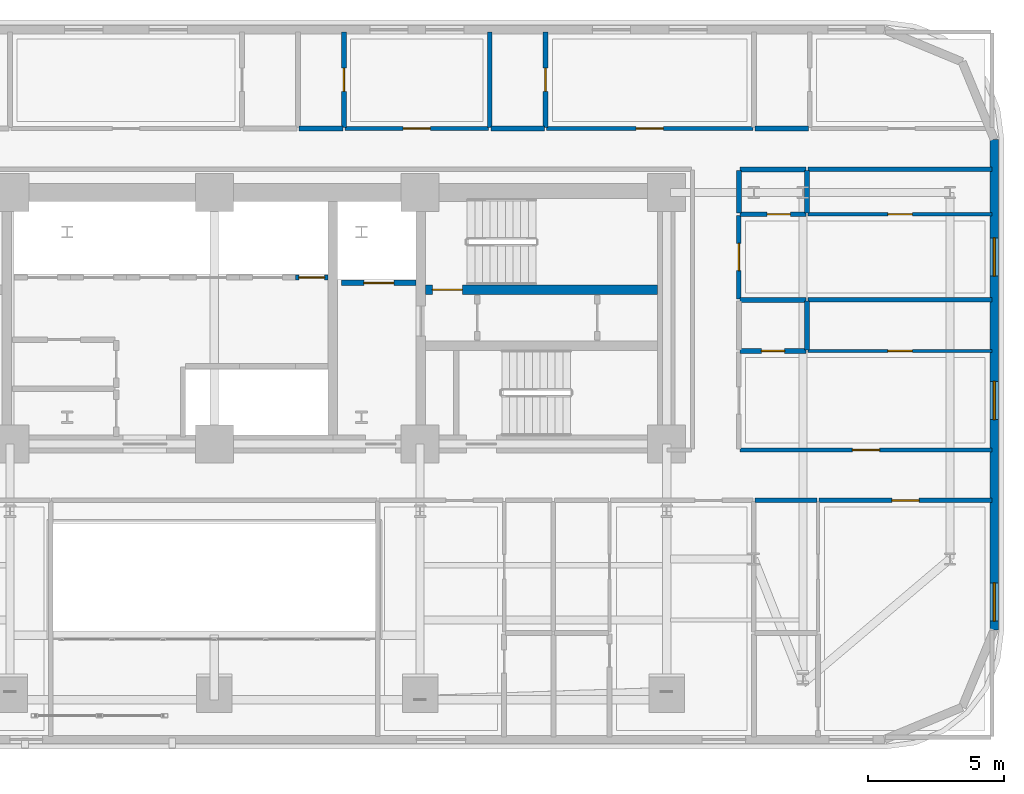
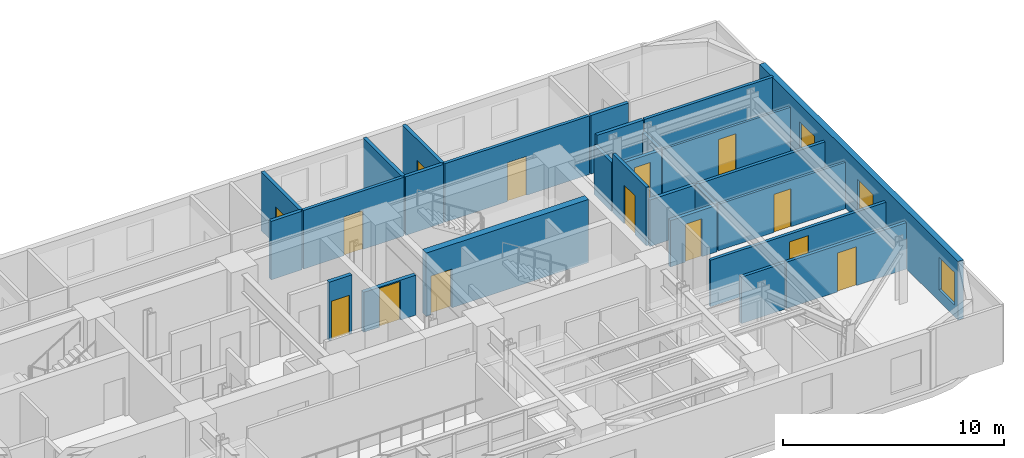
# One storey, part 12 of 16: 27 walls, 14 doors, 3 windows, 17 openings.
"""IFC4 building model written with IfcOpenShell, lengths in metres."""

import ifcopenshell
import ifcopenshell.guid

model = None  # the IFC model being written
_history = None  # IfcOwnerHistory: only IFC2X3 demands one
_inside = {}  # id of a spatial element -> (the spatial element, [elements in it])
_under = {}  # id of a project, library or spatial element -> (it, [spatial elements below it])
_declared = {}  # id of a project -> (the project, [libraries it declares])
_typed = {}  # id of a type object -> (the type object, [elements of that type])
_made_of = {}  # id of a material, layer set ... -> (it, [elements and type objects made of it])


def new_model(schema):
    """Start an empty IFC model of exactly this schema.

    Asked for "IFC4X3", IfcOpenShell would pick the latest addendum, in which some entities
    have other attributes; the version numbers below select the first issue.
    IFC2X3 requires an IfcOwnerHistory on every rooted entity: one is made here for all.
    """
    global model, _history
    if schema == "IFC4X3":
        model = ifcopenshell.file(schema_version=(4, 3, 0, 0))
    else:
        model = ifcopenshell.file(schema=schema)
    _inside.clear()
    _under.clear()
    _declared.clear()
    _typed.clear()
    _made_of.clear()
    _history = None
    if model.schema == "IFC2X3":
        org = make("IfcOrganization", Name="unknown")
        user = make(
            "IfcPersonAndOrganization",
            ThePerson=make("IfcPerson", FamilyName="unknown"),
            TheOrganization=org,
        )
        app = make(
            "IfcApplication",
            ApplicationDeveloper=org,
            Version="unknown",
            ApplicationFullName="unknown",
            ApplicationIdentifier="unknown",
        )
        _history = make(
            "IfcOwnerHistory",
            OwningUser=user,
            OwningApplication=app,
            ChangeAction="ADDED",
            CreationDate=0,
        )
    return model


def make(cls, **values):
    """One entity of the class cls with the attributes given. An attribute that is None is left unset."""
    return model.create_entity(
        cls, **{name: value for name, value in values.items() if value is not None}
    )


def rooted(cls, **values):
    """An entity with a GlobalId (a new one), such as an element, a storey or a relation."""
    return make(cls, GlobalId=ifcopenshell.guid.new(), OwnerHistory=_history, **values)


def si_unit(unit_type, name, prefix=None):
    """IfcSIUnit, for example si_unit("LENGTHUNIT", "METRE", prefix="MILLI")."""
    return make("IfcSIUnit", UnitType=unit_type, Prefix=prefix, Name=name)


def assignment(units):
    """IfcUnitAssignment: the units of a project."""
    return None if units is None else make("IfcUnitAssignment", Units=units)


def point(xyz):
    """IfcCartesianPoint."""
    return None if xyz is None else make("IfcCartesianPoint", Coordinates=xyz)


def direction(xyz):
    """IfcDirection."""
    return None if xyz is None else make("IfcDirection", DirectionRatios=xyz)


def frame(location, z_axis=None, x_axis=None):
    """IfcAxis2Placement3D, a coordinate frame: its origin and axes. An axis left out is left unset."""
    return make(
        "IfcAxis2Placement3D",
        Location=point(location),
        Axis=direction(z_axis),
        RefDirection=direction(x_axis),
    )


def frame_2d(location, x_axis=None):
    """IfcAxis2Placement2D, a coordinate frame in the plane: its origin and x axis."""
    return make(
        "IfcAxis2Placement2D", Location=point(location), RefDirection=direction(x_axis)
    )


def origin():
    """The frame at (0, 0, 0) with its axes left unset."""
    return frame((0.0, 0.0, 0.0))


def place(relative_to, where):
    """IfcLocalPlacement: puts the frame where relative to a parent placement (None: the world)."""
    return make(
        "IfcLocalPlacement", PlacementRelTo=relative_to, RelativePlacement=where
    )


def context(
    kind, dimensions, precision=None, world=None, true_north=None, identifier=None
):
    """IfcGeometricRepresentationContext, for example the 3D "Model" context."""
    return make(
        "IfcGeometricRepresentationContext",
        ContextIdentifier=identifier,
        ContextType=kind,
        CoordinateSpaceDimension=dimensions,
        Precision=precision,
        WorldCoordinateSystem=world,
        TrueNorth=true_north,
    )


def subcontext(parent, identifier, kind, view, scale=None):
    """IfcGeometricRepresentationSubContext, for example "Body" below "Model"."""
    return make(
        "IfcGeometricRepresentationSubContext",
        ContextIdentifier=identifier,
        ContextType=kind,
        ParentContext=parent,
        TargetScale=scale,
        TargetView=view,
    )


def project(units=None, contexts=None):
    """IfcProject with its units and contexts."""
    return rooted(
        "IfcProject",
        Name="project",
        RepresentationContexts=contexts,
        UnitsInContext=assignment(units),
    )


def spatial(cls, under=None, at=None, **own):
    """A site, building, storey or space (cls), placed at a placement, below another one or the project."""
    s = rooted(cls, ObjectPlacement=at, **own)
    if under is not None:
        _under.setdefault(under.id(), (under, []))[1].append(s)
    return s


def profile(cls, at=None, kind="AREA", **sizes):
    """A parametric profile (cls). Its sizes go by their IFC names, for example OverallWidth=200.0."""
    return make(cls, ProfileType=kind, Position=at, **sizes)


def rectangle(**sizes):
    """IfcRectangleProfileDef."""
    return profile("IfcRectangleProfileDef", **sizes)


def extrude(swept, where, along, depth):
    """IfcExtrudedAreaSolid: the profile swept, set in the frame where, extruded along a direction by depth."""
    return make(
        "IfcExtrudedAreaSolid",
        SweptArea=swept,
        Position=where,
        ExtrudedDirection=direction(along),
        Depth=depth,
    )


def shape(context_of_items, identifier, shape_type, items):
    """IfcShapeRepresentation: the items that make up one representation, for example the "Body"."""
    return make(
        "IfcShapeRepresentation",
        ContextOfItems=context_of_items,
        RepresentationIdentifier=identifier,
        RepresentationType=shape_type,
        Items=items,
    )


def material(Name=None, Category=None):
    """IfcMaterial."""
    return make("IfcMaterial", Name=Name, Category=Category)


def layer(
    of_material, thickness, ventilated=None, Name=None, Category=None, Priority=None
):
    """IfcMaterialLayer: one layer of a wall or slab, of a material (None: an air gap)."""
    return make(
        "IfcMaterialLayer",
        Material=of_material,
        LayerThickness=thickness,
        IsVentilated=ventilated,
        Name=Name,
        Category=Category,
        Priority=Priority,
    )


def layer_set(layers, Name=None):
    """IfcMaterialLayerSet."""
    return make("IfcMaterialLayerSet", MaterialLayers=layers, LayerSetName=Name)


def made_of(thing, what):
    """Note that an element or type object is made of a material, layer set ...; save() writes the relation."""
    if what is not None:
        _made_of.setdefault(what.id(), (what, []))[1].append(thing)
    return thing


def type_object(cls, material=None, **own):
    """A type object (cls), such as IfcWallType, which elements share."""
    return made_of(rooted(cls, **own), material)


def element(
    cls,
    number,
    at=None,
    inside=None,
    cuts=None,
    type_object=None,
    material=None,
    context=None,
    identifier="Body",
    shape_type=None,
    held_by="IfcProductDefinitionShape",
    body=None,
    shapes=None,
    **own,
):
    """One element of the class cls, such as IfcWall. Its Tag is "e" and its number.

    at: its placement. inside: the storey or other place that contains it. cuts: it is an
    opening in that element (IfcRelVoidsElement). A single representation is given by context,
    identifier, shape_type and body (its items); several are given by shapes. held_by: the class
    of the entity that holds the representations. save() writes the other relations.
    """
    e = rooted(cls, Tag="e%d" % number, ObjectPlacement=at, **own)
    if body is not None:
        shapes = [shape(context, identifier, shape_type, body)]
    if shapes is not None:
        e.Representation = make(held_by, Representations=shapes)
    if inside is not None:
        _inside.setdefault(inside.id(), (inside, []))[1].append(e)
    if cuts is not None:
        rooted(
            "IfcRelVoidsElement", RelatingBuildingElement=cuts, RelatedOpeningElement=e
        )
    if type_object is not None:
        _typed.setdefault(type_object.id(), (type_object, []))[1].append(e)
    return made_of(e, material)


def fill(opening, filler):
    """IfcRelFillsElement: the door or window that sits in an opening."""
    return rooted(
        "IfcRelFillsElement",
        RelatingOpeningElement=opening,
        RelatedBuildingElement=filler,
    )


def aggregate(whole, parts):
    """IfcRelAggregates: a whole, such as a stair, and the parts it consists of."""
    return rooted("IfcRelAggregates", RelatingObject=whole, RelatedObjects=parts)


def save(model, path):
    """Write the relations noted so far, then the file.

    IfcRelAggregates (storeys below a building ...), IfcRelContainedInSpatialStructure (elements
    in a storey), IfcRelDefinesByType, IfcRelAssociatesMaterial and IfcRelDeclares: one each for
    every whole, place, type object, material and project.
    """
    for whole, parts in _under.values():
        aggregate(whole, parts)
    for where, things in _inside.values():
        rooted(
            "IfcRelContainedInSpatialStructure",
            RelatedElements=things,
            RelatingStructure=where,
        )
    for kind, things in _typed.values():
        rooted("IfcRelDefinesByType", RelatedObjects=things, RelatingType=kind)
    for what, things in _made_of.values():
        rooted("IfcRelAssociatesMaterial", RelatedObjects=things, RelatingMaterial=what)
    for by, libraries in _declared.values():
        rooted("IfcRelDeclares", RelatingContext=by, RelatedDefinitions=libraries)
    model.write(path)


model = new_model("IFC4")

# Units and contexts
model_context = context("Model", 3, precision=1e-05, world=origin(), true_north=direction((0.0, 1.0)))
body_context = subcontext(model_context, "Body", "Model", "MODEL_VIEW")
ifc_project = project(units=[si_unit("LENGTHUNIT", "METRE"), si_unit("AREAUNIT", "SQUARE_METRE"), si_unit("VOLUMEUNIT", "CUBIC_METRE"), si_unit("PLANEANGLEUNIT", "RADIAN"), si_unit("MASSUNIT", "GRAM", prefix="KILO")], contexts=[model_context])

# Site, building, storey
site_placement = place(None, origin())
site = spatial("IfcSite", under=ifc_project, at=site_placement, CompositionType="ELEMENT")
building_placement = place(site_placement, origin())
building = spatial("IfcBuilding", under=site, at=building_placement, Name="Zarnavel Station Tower", CompositionType="ELEMENT")
storey_placement = place(building_placement, frame((0.0, 0.0, 82.800048828125)))
storey = spatial("IfcBuildingStorey", under=building, at=storey_placement, Name="L22", CompositionType="ELEMENT", Elevation=82.800048828125)

# Wall, opening, door
ifc_material_1 = material(Name="Concrete C50/60", Category="concrete")
ifc_layer_1 = layer(ifc_material_1, 0.35009765625)
ifc_layer_set_1 = layer_set([ifc_layer_1], Name="CW_350")
wall_type_1 = type_object("IfcWallType", Name="CW_350", PredefinedType="SHEAR", material=ifc_layer_set_1)
wall_1_placement = place(storey_placement, frame((45.054931640625, 33.47998046875, 0.0), z_axis=(0.0, 0.0, 1.0), x_axis=(-1.0, 0.0, 0.0)))
wall_1 = element("IfcWall", 1, at=wall_1_placement, inside=storey, type_object=wall_type_1, Name="L22 Rear Core Shear Wall DIV-H2", PredefinedType="SHEAR", context=body_context, shape_type="SweptSolid", body=[
    extrude(rectangle(XDim=8.5, YDim=0.35009765625, at=frame_2d((4.25, 0.0))), origin(), (0.0, 0.0, 1.0), 3.5),
])
opening_1_placement = place(wall_1_placement, frame((7.155029296875, 0.0, 0.0)))
opening_1 = element("IfcOpeningElement", 2, at=opening_1_placement, cuts=wall_1, Name="Opening FD01", PredefinedType="OPENING", context=body_context, shape_type="SweptSolid", body=[
    extrude(rectangle(XDim=1.10009765625, YDim=2.14990234375, at=frame_2d((0.550048828125, 1.074951171875))), frame((0.0, 0.18505859375, 0.0), z_axis=(0.0, -1.0, 0.0), x_axis=(1.0, 0.0, 0.0)), (0.0, 0.0, 1.0), 0.3701171875),
])
ifc_material_2 = material(Name="Painted Galvanised Steel and Hardwood Leaf", Category="steel")
door_type_1 = type_object("IfcDoorType", Name="ID_STAIR_1100", OperationType="NOTDEFINED", PredefinedType="DOOR", material=ifc_material_2)
door_1_placement = place(opening_1_placement, origin())
door_1 = element("IfcDoor", 3, at=door_1_placement, inside=storey, type_object=door_type_1, Name="L22 Stair ST2 Lobby Fire Door", OperationType="SINGLE_SWING_RIGHT", OverallHeight=2.14990234375, OverallWidth=1.10009765625, PredefinedType="DOOR", context=body_context, shape_type="SweptSolid", body=[
    extrude(rectangle(XDim=1.10009765625, YDim=2.14990234375, at=frame_2d((0.550048828125, 1.074951171875))), frame((0.0, 0.02490234375, 0.0), z_axis=(0.0, -1.0, 0.0), x_axis=(1.0, 0.0, 0.0)), (0.0, 0.0, 1.0), 0.050048828125),
])
fill(opening_1, door_1)

# Wall, openings, windows
ifc_material_3 = material(Name="Precast concrete C45/55 (Dark Basalt Finish)", Category="masonry")
ifc_layer_2 = layer(ifc_material_3, 0.300048828125)
ifc_layer_set_2 = layer_set([ifc_layer_2], Name="EW_BASALT_300")
wall_type_2 = type_object("IfcWallType", Name="EW_BASALT_300", PredefinedType="SOLIDWALL", material=ifc_layer_set_2)
wall_2_placement = place(storey_placement, frame((57.419921875, 39.0, 0.0), z_axis=(0.0, 0.0, 1.0), x_axis=(0.0, -1.0, 0.0)))
wall_2 = element("IfcWall", 4, at=wall_2_placement, inside=storey, type_object=wall_type_2, Name="L22 Exterior Basalt Masonry Frame Wall 03", PredefinedType="SOLIDWALL", context=body_context, shape_type="SweptSolid", body=[
    extrude(rectangle(XDim=18.0, YDim=0.300048828125, at=frame_2d((9.0, 0.0))), origin(), (0.0, 0.0, 1.0), 3.239990234375),
])
opening_2_placement = place(wall_2_placement, frame((8.882080078125, 0.0, 0.47998046875)))
opening_2 = element("IfcOpeningElement", 5, at=opening_2_placement, cuts=wall_2, Name="Opening WN01", PredefinedType="OPENING", context=body_context, shape_type="SweptSolid", body=[
    extrude(rectangle(XDim=1.39990234375, YDim=1.800048828125, at=frame_2d((0.699951171875, 0.89990234375))), frame((0.0, 0.159912109375, 0.0), z_axis=(0.0, -1.0, 0.0), x_axis=(1.0, 0.0, 0.0)), (0.0, 0.0, 1.0), 0.320068359375),
])
opening_3_placement = place(wall_2_placement, frame((3.62060546875, 0.0, 0.47998046875)))
opening_3 = element("IfcOpeningElement", 6, at=opening_3_placement, cuts=wall_2, Name="Opening WN01", PredefinedType="OPENING", context=body_context, shape_type="SweptSolid", body=[
    extrude(rectangle(XDim=1.39990234375, YDim=1.800048828125, at=frame_2d((0.699951171875, 0.89990234375))), frame((0.0, 0.159912109375, 0.0), z_axis=(0.0, -1.0, 0.0), x_axis=(1.0, 0.0, 0.0)), (0.0, 0.0, 1.0), 0.320068359375),
])
opening_4_placement = place(wall_2_placement, frame((16.280029296875, 0.0, 0.64990234375)))
opening_4 = element("IfcOpeningElement", 7, at=opening_4_placement, cuts=wall_2, Name="Opening WN01", PredefinedType="OPENING", context=body_context, shape_type="SweptSolid", body=[
    extrude(rectangle(XDim=1.39990234375, YDim=1.800048828125, at=frame_2d((0.699951171875, 0.89990234375))), frame((0.0, 0.159912109375, 0.0), z_axis=(0.0, -1.0, 0.0), x_axis=(1.0, 0.0, 0.0)), (0.0, 0.0, 1.0), 0.320068359375),
])
ifc_material_4 = material(Name="Thermally Broken Black Aluminium and Low-E Dark Glass", Category="aluminium")
window_type = type_object("IfcWindowType", Name="WN_1400x1800", PartitioningType="DOUBLE_PANEL_VERTICAL", PredefinedType="WINDOW", material=ifc_material_4)
window_1_placement = place(opening_2_placement, origin())
window_1 = element("IfcWindow", 8, at=window_1_placement, inside=storey, type_object=window_type, Name="L22 Recessed Facade Window 01", OverallHeight=1.800048828125, OverallWidth=1.39990234375, PartitioningType="SINGLE_PANEL", PredefinedType="WINDOW", context=body_context, shape_type="SweptSolid", body=[
    extrude(rectangle(XDim=1.39990234375, YDim=1.800048828125, at=frame_2d((0.699951171875, 0.89990234375))), frame((0.0, 0.030029296875, 0.0), z_axis=(0.0, -1.0, 0.0), x_axis=(1.0, 0.0, 0.0)), (0.0, 0.0, 1.0), 0.06005859375),
])
fill(opening_2, window_1)
window_2_placement = place(opening_3_placement, origin())
window_2 = element("IfcWindow", 9, at=window_2_placement, inside=storey, type_object=window_type, Name="L22 Recessed Facade Window 02", OverallHeight=1.800048828125, OverallWidth=1.39990234375, PartitioningType="SINGLE_PANEL", PredefinedType="WINDOW", context=body_context, shape_type="SweptSolid", body=[
    extrude(rectangle(XDim=1.39990234375, YDim=1.800048828125, at=frame_2d((0.699951171875, 0.89990234375))), frame((0.0, 0.030029296875, 0.0), z_axis=(0.0, -1.0, 0.0), x_axis=(1.0, 0.0, 0.0)), (0.0, 0.0, 1.0), 0.06005859375),
])
fill(opening_3, window_2)
window_3_placement = place(opening_4_placement, origin())
window_3 = element("IfcWindow", 10, at=window_3_placement, inside=storey, type_object=window_type, Name="L22 Recessed Facade Window 03", OverallHeight=1.800048828125, OverallWidth=1.39990234375, PartitioningType="SINGLE_PANEL", PredefinedType="WINDOW", context=body_context, shape_type="SweptSolid", body=[
    extrude(rectangle(XDim=1.39990234375, YDim=1.800048828125, at=frame_2d((0.699951171875, 0.89990234375))), frame((0.0, 0.030029296875, 0.0), z_axis=(0.0, -1.0, 0.0), x_axis=(1.0, 0.0, 0.0)), (0.0, 0.0, 1.0), 0.06005859375),
])
fill(opening_4, window_3)

# Wall, opening, door
ifc_material_5 = material(Name="Gypsum Twin-Stud Acoustic Fire Partition", Category="concrete")
ifc_layer_3 = layer(ifc_material_5, 0.159912109375)
ifc_layer_set_3 = layer_set([ifc_layer_3], Name="PT_DEMISE_160")
wall_type_3 = type_object("IfcWallType", Name="PT_DEMISE_160", PredefinedType="PARTITIONING", material=ifc_layer_set_3)
wall_3_placement = place(storey_placement, frame((48.090087890625, 27.60009765625, 0.0), z_axis=(0.0, 0.0, 1.0), x_axis=(1.0, 0.0, 0.0)))
wall_3 = element("IfcWall", 11, at=wall_3_placement, inside=storey, type_object=wall_type_3, Name="L22 Partition COR-S-FNE1R", PredefinedType="PARTITIONING", context=body_context, shape_type="SweptSolid", body=[
    extrude(rectangle(XDim=9.25, YDim=0.159912109375, at=frame_2d((4.625, 0.0))), origin(), (0.0, 0.0, 1.0), 2.570068359375),
])
opening_5_placement = place(wall_3_placement, frame((4.125, 0.0, 0.0)))
opening_5 = element("IfcOpeningElement", 12, at=opening_5_placement, cuts=wall_3, Name="Opening FD02", PredefinedType="OPENING", context=body_context, shape_type="SweptSolid", body=[
    extrude(rectangle(XDim=1.0, YDim=2.14990234375, at=frame_2d((0.5, 1.074951171875))), frame((0.0, 0.08984375, 0.0), z_axis=(0.0, -1.0, 0.0), x_axis=(1.0, 0.0, 0.0)), (0.0, 0.0, 1.0), 0.179931640625),
])
ifc_material_6 = material(Name="Painted Galvanised Steel and Hardwood Leaf", Category="steel")
door_type_2 = type_object("IfcDoorType", Name="ID_ENTRY_1000", OperationType="NOTDEFINED", PredefinedType="DOOR", material=ifc_material_6)
door_2_placement = place(opening_5_placement, origin())
door_2 = element("IfcDoor", 13, at=door_2_placement, inside=storey, type_object=door_type_2, Name="L22 Door COR-S-FNE1R", OperationType="SINGLE_SWING_RIGHT", OverallHeight=2.14990234375, OverallWidth=1.0, PredefinedType="DOOR", context=body_context, shape_type="SweptSolid", body=[
    extrude(rectangle(XDim=1.0, YDim=2.14990234375, at=frame_2d((0.5, 1.074951171875))), frame((0.0, 0.02490234375, 0.0), z_axis=(0.0, -1.0, 0.0), x_axis=(1.0, 0.0, 0.0)), (0.0, 0.0, 1.0), 0.050048828125),
])
fill(opening_5, door_2)

wall_4_placement = place(storey_placement, frame((50.989990234375, 25.75, 0.0), z_axis=(0.0, 0.0, 1.0), x_axis=(1.0, 0.0, 0.0)))
wall_4 = element("IfcWall", 14, at=wall_4_placement, inside=storey, type_object=wall_type_3, Name="L22 Partition COR-S-HE3R", PredefinedType="PARTITIONING", context=body_context, shape_type="SweptSolid", body=[
    extrude(rectangle(XDim=6.35009765625, YDim=0.159912109375, at=frame_2d((3.175048828125, 0.0))), origin(), (0.0, 0.0, 1.0), 2.570068359375),
])
opening_6_placement = place(wall_4_placement, frame((2.675048828125, 0.0, 0.0)))
opening_6 = element("IfcOpeningElement", 15, at=opening_6_placement, cuts=wall_4, Name="Opening FD02", PredefinedType="OPENING", context=body_context, shape_type="SweptSolid", body=[
    extrude(rectangle(XDim=1.0, YDim=2.14990234375, at=frame_2d((0.5, 1.074951171875))), frame((0.0, 0.08984375, 0.0), z_axis=(0.0, -1.0, 0.0), x_axis=(1.0, 0.0, 0.0)), (0.0, 0.0, 1.0), 0.179931640625),
])
door_3_placement = place(opening_6_placement, origin())
door_3 = element("IfcDoor", 16, at=door_3_placement, inside=storey, type_object=door_type_2, Name="L22 Door COR-S-HE3R", OperationType="SINGLE_SWING_RIGHT", OverallHeight=2.14990234375, OverallWidth=1.0, PredefinedType="DOOR", context=body_context, shape_type="SweptSolid", body=[
    extrude(rectangle(XDim=1.0, YDim=2.14990234375, at=frame_2d((0.5, 1.074951171875))), frame((0.0, 0.02490234375, 0.0), z_axis=(0.0, -1.0, 0.0), x_axis=(1.0, 0.0, 0.0)), (0.0, 0.0, 1.0), 0.050048828125),
])
fill(opening_6, door_3)

# Wall
wall_5_placement = place(storey_placement, frame((48.639892578125, 25.75, 0.0), z_axis=(0.0, 0.0, 1.0), x_axis=(1.0, 0.0, 0.0)))
element("IfcWall", 17, at=wall_5_placement, inside=storey, type_object=wall_type_3, Name="L22 Partition COR-S-HE3S", PredefinedType="PARTITIONING", context=body_context, shape_type="SweptSolid", body=[
    extrude(rectangle(XDim=2.27001953125, YDim=0.159912109375, at=frame_2d((1.135009765625, 0.0))), origin(), (0.0, 0.0, 1.0), 2.570068359375),
])

# Wall, opening, door
wall_6_placement = place(storey_placement, frame((48.050048828125, 33.14892578125, 0.0), z_axis=(0.0, 0.0, 1.0), x_axis=(0.0, 1.0, 0.0)))
wall_6 = element("IfcWall", 18, at=wall_6_placement, inside=storey, type_object=wall_type_3, Name="L22 Partition COR-E-FNE2R", PredefinedType="PARTITIONING", context=body_context, shape_type="SweptSolid", body=[
    extrude(rectangle(XDim=3.06103515625, YDim=0.159912109375, at=frame_2d((1.530517578125, 0.0))), origin(), (0.0, 0.0, 1.0), 3.239990234375),
])
opening_7_placement = place(wall_6_placement, frame((1.030517578125, 0.0, 0.0)))
opening_7 = element("IfcOpeningElement", 19, at=opening_7_placement, cuts=wall_6, Name="Opening FD02", PredefinedType="OPENING", context=body_context, shape_type="SweptSolid", body=[
    extrude(rectangle(XDim=1.0, YDim=2.14990234375, at=frame_2d((0.5, 1.074951171875))), frame((0.0, 0.08984375, 0.0), z_axis=(0.0, -1.0, 0.0), x_axis=(1.0, 0.0, 0.0)), (0.0, 0.0, 1.0), 0.179931640625),
])
door_4_placement = place(opening_7_placement, origin())
door_4 = element("IfcDoor", 20, at=door_4_placement, inside=storey, type_object=door_type_2, Name="L22 Door COR-E-FNE2R", OperationType="SINGLE_SWING_RIGHT", OverallHeight=2.14990234375, OverallWidth=1.0, PredefinedType="DOOR", context=body_context, shape_type="SweptSolid", body=[
    extrude(rectangle(XDim=1.0, YDim=2.14990234375, at=frame_2d((0.5, 1.074951171875))), frame((0.0, 0.02490234375, 0.0), z_axis=(0.0, -1.0, 0.0), x_axis=(1.0, 0.0, 0.0)), (0.0, 0.0, 1.0), 0.050048828125),
])
fill(opening_7, door_4)

# Wall
wall_7_placement = place(storey_placement, frame((50.590087890625, 37.89990234375, 0.0), z_axis=(0.0, 0.0, 1.0), x_axis=(1.0, 0.0, 0.0)))
element("IfcWall", 21, at=wall_7_placement, inside=storey, type_object=wall_type_3, Name="L22 Partition COR-N-FNE2S", PredefinedType="PARTITIONING", context=body_context, shape_type="SweptSolid", body=[
    extrude(rectangle(XDim=6.75, YDim=0.159912109375, at=frame_2d((3.375, 0.0))), origin(), (0.0, 0.0, 1.0), 3.239990234375),
])

# Wall, opening, door
wall_8_placement = place(storey_placement, frame((33.594970703125, 39.39990234375, 0.0), z_axis=(0.0, 0.0, 1.0), x_axis=(1.0, 0.0, 0.0)))
wall_8 = element("IfcWall", 22, at=wall_8_placement, inside=storey, type_object=wall_type_3, Name="L22 Partition COR-N-HN3R", PredefinedType="PARTITIONING", context=body_context, shape_type="SweptSolid", body=[
    extrude(rectangle(XDim=5.27294921875, YDim=0.159912109375, at=frame_2d((2.636474609375, 0.0))), origin(), (0.0, 0.0, 1.0), 3.239990234375),
])
opening_8_placement = place(wall_8_placement, frame((2.136474609375, 0.0, 0.0)))
opening_8 = element("IfcOpeningElement", 23, at=opening_8_placement, cuts=wall_8, Name="Opening FD02", PredefinedType="OPENING", context=body_context, shape_type="SweptSolid", body=[
    extrude(rectangle(XDim=1.0, YDim=2.14990234375, at=frame_2d((0.5, 1.074951171875))), frame((0.0, 0.08984375, 0.0), z_axis=(0.0, -1.0, 0.0), x_axis=(1.0, 0.0, 0.0)), (0.0, 0.0, 1.0), 0.179931640625),
])
door_5_placement = place(opening_8_placement, origin())
door_5 = element("IfcDoor", 24, at=door_5_placement, inside=storey, type_object=door_type_2, Name="L22 Door COR-N-HN3R", OperationType="SINGLE_SWING_RIGHT", OverallHeight=2.14990234375, OverallWidth=1.0, PredefinedType="DOOR", context=body_context, shape_type="SweptSolid", body=[
    extrude(rectangle(XDim=1.0, YDim=2.14990234375, at=frame_2d((0.5, 1.074951171875))), frame((0.0, 0.02490234375, 0.0), z_axis=(0.0, -1.0, 0.0), x_axis=(1.0, 0.0, 0.0)), (0.0, 0.0, 1.0), 0.050048828125),
])
fill(opening_8, door_5)

wall_9_placement = place(storey_placement, frame((40.998046875, 39.39990234375, 0.0), z_axis=(0.0, 0.0, 1.0), x_axis=(1.0, 0.0, 0.0)))
wall_9 = element("IfcWall", 25, at=wall_9_placement, inside=storey, type_object=wall_type_3, Name="L22 Partition COR-N-HN4R", PredefinedType="PARTITIONING", context=body_context, shape_type="SweptSolid", body=[
    extrude(rectangle(XDim=7.56201171875, YDim=0.159912109375, at=frame_2d((3.781005859375, 0.0))), origin(), (0.0, 0.0, 1.0), 3.239990234375),
])
opening_9_placement = place(wall_9_placement, frame((3.281005859375, 0.0, 0.0)))
opening_9 = element("IfcOpeningElement", 26, at=opening_9_placement, cuts=wall_9, Name="Opening FD02", PredefinedType="OPENING", context=body_context, shape_type="SweptSolid", body=[
    extrude(rectangle(XDim=1.0, YDim=2.14990234375, at=frame_2d((0.5, 1.074951171875))), frame((0.0, 0.08984375, 0.0), z_axis=(0.0, -1.0, 0.0), x_axis=(1.0, 0.0, 0.0)), (0.0, 0.0, 1.0), 0.179931640625),
])
door_6_placement = place(opening_9_placement, origin())
door_6 = element("IfcDoor", 27, at=door_6_placement, inside=storey, type_object=door_type_2, Name="L22 Door COR-N-HN4R", OperationType="SINGLE_SWING_LEFT", OverallHeight=2.14990234375, OverallWidth=1.0, PredefinedType="DOOR", context=body_context, shape_type="SweptSolid", body=[
    extrude(rectangle(XDim=1.0, YDim=2.14990234375, at=frame_2d((0.5, 1.074951171875))), frame((0.0, 0.02490234375, 0.0), z_axis=(0.0, -1.0, 0.0), x_axis=(1.0, 0.0, 0.0)), (0.0, 0.0, 1.0), 0.050048828125),
])
fill(opening_9, door_6)

# Wall
wall_10_placement = place(storey_placement, frame((50.590087890625, 33.10888671875, 0.0), z_axis=(0.0, 0.0, 1.0), x_axis=(1.0, 0.0, 0.0)))
element("IfcWall", 28, at=wall_10_placement, inside=storey, type_object=wall_type_3, Name="L22 Partition FNE1S-FNE2R", PredefinedType="PARTITIONING", context=body_context, shape_type="SweptSolid", body=[
    extrude(rectangle(XDim=6.75, YDim=0.159912109375, at=frame_2d((3.375, 0.0))), origin(), (0.0, 0.0, 1.0), 2.570068359375),
])

# Wall, opening, door
ifc_material_7 = material(Name="Gypsum Metal-Stud Interior Partition", Category="concrete")
ifc_layer_4 = layer(ifc_material_7, 0.1201171875)
ifc_layer_set_4 = layer_set([ifc_layer_4], Name="PT_ROOM_120")
wall_type_4 = type_object("IfcWallType", Name="PT_ROOM_120", PredefinedType="PARTITIONING", material=ifc_layer_set_4)
wall_11_placement = place(storey_placement, frame((50.590087890625, 31.236083984375, 0.0), z_axis=(0.0, 0.0, 1.0), x_axis=(1.0, 0.0, 0.0)))
wall_11 = element("IfcWall", 29, at=wall_11_placement, inside=storey, type_object=wall_type_4, Name="L22 Partition FNE1R-FNE1S", PredefinedType="PARTITIONING", context=body_context, shape_type="SweptSolid", body=[
    extrude(rectangle(XDim=6.75, YDim=0.1201171875, at=frame_2d((3.375, 0.0))), origin(), (0.0, 0.0, 1.0), 2.570068359375),
])
opening_10_placement = place(wall_11_placement, frame((2.925048828125, 0.0, 0.0)))
opening_10 = element("IfcOpeningElement", 30, at=opening_10_placement, cuts=wall_11, Name="Opening ID01", PredefinedType="OPENING", context=body_context, shape_type="SweptSolid", body=[
    extrude(rectangle(XDim=0.89990234375, YDim=2.10009765625, at=frame_2d((0.449951171875, 1.050048828125))), frame((0.0, 0.070068359375, 0.0), z_axis=(0.0, -1.0, 0.0), x_axis=(1.0, 0.0, 0.0)), (0.0, 0.0, 1.0), 0.14013671875),
])
ifc_material_8 = material(Name="Painted Galvanised Steel and Hardwood Leaf", Category="steel")
door_type_3 = type_object("IfcDoorType", Name="ID_ROOM_900", OperationType="NOTDEFINED", PredefinedType="DOOR", material=ifc_material_8)
door_7_placement = place(opening_10_placement, origin())
door_7 = element("IfcDoor", 31, at=door_7_placement, inside=storey, type_object=door_type_3, Name="L22 Door FNE1R-FNE1S", OperationType="SINGLE_SWING_RIGHT", OverallHeight=2.10009765625, OverallWidth=0.89990234375, PredefinedType="DOOR", context=body_context, shape_type="SweptSolid", body=[
    extrude(rectangle(XDim=0.89990234375, YDim=2.10009765625, at=frame_2d((0.449951171875, 1.050048828125))), frame((0.0, 0.02490234375, 0.0), z_axis=(0.0, -1.0, 0.0), x_axis=(1.0, 0.0, 0.0)), (0.0, 0.0, 1.0), 0.050048828125),
])
fill(opening_10, door_7)

wall_12_placement = place(storey_placement, frame((50.590087890625, 36.25, 0.0), z_axis=(0.0, 0.0, 1.0), x_axis=(1.0, 0.0, 0.0)))
wall_12 = element("IfcWall", 32, at=wall_12_placement, inside=storey, type_object=wall_type_4, Name="L22 Partition FNE2R-FNE2S", PredefinedType="PARTITIONING", context=body_context, shape_type="SweptSolid", body=[
    extrude(rectangle(XDim=6.75, YDim=0.1201171875, at=frame_2d((3.375, 0.0))), origin(), (0.0, 0.0, 1.0), 2.570068359375),
])
opening_11_placement = place(wall_12_placement, frame((2.925048828125, 0.0, 0.0)))
opening_11 = element("IfcOpeningElement", 33, at=opening_11_placement, cuts=wall_12, Name="Opening ID01", PredefinedType="OPENING", context=body_context, shape_type="SweptSolid", body=[
    extrude(rectangle(XDim=0.89990234375, YDim=2.10009765625, at=frame_2d((0.449951171875, 1.050048828125))), frame((0.0, 0.070068359375, 0.0), z_axis=(0.0, -1.0, 0.0), x_axis=(1.0, 0.0, 0.0)), (0.0, 0.0, 1.0), 0.14013671875),
])
door_8_placement = place(opening_11_placement, origin())
door_8 = element("IfcDoor", 34, at=door_8_placement, inside=storey, type_object=door_type_3, Name="L22 Door FNE2R-FNE2S", OperationType="SINGLE_SWING_RIGHT", OverallHeight=2.10009765625, OverallWidth=0.89990234375, PredefinedType="DOOR", context=body_context, shape_type="SweptSolid", body=[
    extrude(rectangle(XDim=0.89990234375, YDim=2.10009765625, at=frame_2d((0.449951171875, 1.050048828125))), frame((0.0, 0.02490234375, 0.0), z_axis=(0.0, -1.0, 0.0), x_axis=(1.0, 0.0, 0.0)), (0.0, 0.0, 1.0), 0.050048828125),
])
fill(opening_11, door_8)

ifc_material_9 = material(Name="Precast concrete C45/55 (Fire Shaft Blockwork)", Category="masonry")
ifc_layer_5 = layer(ifc_material_9, 0.199951171875)
ifc_layer_set_5 = layer_set([ifc_layer_5], Name="PT_SHAFT_200")
wall_type_5 = type_object("IfcWallType", Name="PT_SHAFT_200", PredefinedType="PARTITIONING", material=ifc_layer_set_5)
wall_13_placement = place(storey_placement, frame((33.47509765625, 33.72998046875, 0.0), z_axis=(0.0, 0.0, 1.0), x_axis=(1.0, 0.0, 0.0)))
wall_13 = element("IfcWall", 35, at=wall_13_placement, inside=storey, type_object=wall_type_5, Name="L22 Lift FFL-02 Shaft Front Wall", PredefinedType="PARTITIONING", context=body_context, shape_type="SweptSolid", body=[
    extrude(rectangle(XDim=2.724853515625, YDim=0.199951171875, at=frame_2d((1.3623046875, 0.0))), origin(), (0.0, 0.0, 1.0), 2.2119140625),
])
opening_12_placement = place(wall_13_placement, frame((0.8125, 0.0, 0.0)))
opening_12 = element("IfcOpeningElement", 36, at=opening_12_placement, cuts=wall_13, Name="Opening LD01", PredefinedType="OPENING", context=body_context, shape_type="SweptSolid", body=[
    extrude(rectangle(XDim=1.10009765625, YDim=2.14990234375, at=frame_2d((0.550048828125, 1.074951171875))), frame((0.0, 0.10986328125, 0.0), z_axis=(0.0, -1.0, 0.0), x_axis=(1.0, 0.0, 0.0)), (0.0, 0.0, 1.0), 0.219970703125),
])
ifc_material_10 = material(Name="Painted Galvanised Steel and Hardwood Leaf", Category="steel")
door_type_4 = type_object("IfcDoorType", Name="LD_FF_1100", OperationType="DOUBLE_DOOR_SLIDING", PredefinedType="DOOR", material=ifc_material_10)
door_9_placement = place(opening_12_placement, origin())
door_9 = element("IfcDoor", 37, at=door_9_placement, inside=storey, type_object=door_type_4, Name="L22 Lift FFL-02 Sliding Landing Door", OperationType="DOUBLE_DOOR_SLIDING", OverallHeight=2.14990234375, OverallWidth=1.10009765625, PredefinedType="DOOR", context=body_context, shape_type="SweptSolid", body=[
    extrude(rectangle(XDim=1.10009765625, YDim=2.14990234375, at=frame_2d((0.550048828125, 1.074951171875))), frame((0.0, 0.02490234375, 0.0), z_axis=(0.0, -1.0, 0.0), x_axis=(1.0, 0.0, 0.0)), (0.0, 0.0, 1.0), 0.050048828125),
])
fill(opening_12, door_9)

wall_14_placement = place(storey_placement, frame((31.77490234375, 33.929931640625, 0.0), z_axis=(0.0, 0.0, 1.0), x_axis=(1.0, 0.0, 0.0)))
wall_14 = element("IfcWall", 38, at=wall_14_placement, inside=storey, type_object=wall_type_5, Name="L22 Lift PL-M3 Shaft Front Wall", PredefinedType="PARTITIONING", context=body_context, shape_type="SweptSolid", body=[
    extrude(rectangle(XDim=1.2001953125, YDim=0.199951171875, at=frame_2d((0.60009765625, 0.0))), origin(), (0.0, 0.0, 1.0), 3.239990234375),
])
opening_13_placement = place(wall_14_placement, frame((0.125, 0.0, 0.0)))
opening_13 = element("IfcOpeningElement", 39, at=opening_13_placement, cuts=wall_14, Name="Opening LD03", PredefinedType="OPENING", context=body_context, shape_type="SweptSolid", body=[
    extrude(rectangle(XDim=0.949951171875, YDim=2.14990234375, at=frame_2d((0.47509765625, 1.074951171875))), frame((0.0, 0.10986328125, 0.0), z_axis=(0.0, -1.0, 0.0), x_axis=(1.0, 0.0, 0.0)), (0.0, 0.0, 1.0), 0.219970703125),
])
ifc_material_11 = material(Name="Painted Galvanised Steel and Hardwood Leaf", Category="steel")
door_type_5 = type_object("IfcDoorType", Name="LD_PAX_0950", OperationType="DOUBLE_DOOR_SLIDING", PredefinedType="DOOR", material=ifc_material_11)
door_10_placement = place(opening_13_placement, origin())
door_10 = element("IfcDoor", 40, at=door_10_placement, inside=storey, type_object=door_type_5, Name="L22 Lift PL-M3 Sliding Landing Door", OperationType="DOUBLE_DOOR_SLIDING", OverallHeight=2.14990234375, OverallWidth=0.949951171875, PredefinedType="DOOR", context=body_context, shape_type="SweptSolid", body=[
    extrude(rectangle(XDim=0.949951171875, YDim=2.14990234375, at=frame_2d((0.47509765625, 1.074951171875))), frame((0.0, 0.02490234375, 0.0), z_axis=(0.0, -1.0, 0.0), x_axis=(1.0, 0.0, 0.0)), (0.0, 0.0, 1.0), 0.050048828125),
])
fill(opening_13, door_10)

# Walls
ifc_material_12 = material(Name="Moisture-Resistant Plumbing Chase Wall", Category="concrete")
ifc_layer_6 = layer(ifc_material_12, 0.179931640625)
ifc_layer_set_6 = layer_set([ifc_layer_6], Name="PW_PLUMB_180")
wall_type_6 = type_object("IfcWallType", Name="PW_PLUMB_180", PredefinedType="PLUMBINGWALL", material=ifc_layer_set_6)
wall_15_placement = place(storey_placement, frame((48.050048828125, 36.2900390625, 0.0), z_axis=(0.0, 0.0, 1.0), x_axis=(0.0, 1.0, 0.0)))
element("IfcWall", 41, at=wall_15_placement, inside=storey, type_object=wall_type_6, Name="L22 Partition COR-E-FNE2B", PredefinedType="PLUMBINGWALL", context=body_context, shape_type="SweptSolid", body=[
    extrude(rectangle(XDim=1.570068359375, YDim=0.179931640625, at=frame_2d((0.78515625, 0.0))), origin(), (0.0, 0.0, 1.0), 2.719970703125),
])
wall_16_placement = place(storey_placement, frame((48.090087890625, 37.89990234375, 0.0), z_axis=(0.0, 0.0, 1.0), x_axis=(1.0, 0.0, 0.0)))
element("IfcWall", 42, at=wall_16_placement, inside=storey, type_object=wall_type_6, Name="L22 Partition COR-N-FNE2B", PredefinedType="PLUMBINGWALL", context=body_context, shape_type="SweptSolid", body=[
    extrude(rectangle(XDim=2.419921875, YDim=0.179931640625, at=frame_2d((1.2099609375, 0.0))), origin(), (0.0, 0.0, 1.0), 3.239990234375),
])
wall_17_placement = place(storey_placement, frame((31.905029296875, 39.39990234375, 0.0), z_axis=(0.0, 0.0, 1.0), x_axis=(1.0, 0.0, 0.0)))
element("IfcWall", 43, at=wall_17_placement, inside=storey, type_object=wall_type_6, Name="L22 Partition COR-N-HN3B", PredefinedType="PLUMBINGWALL", context=body_context, shape_type="SweptSolid", body=[
    extrude(rectangle(XDim=1.60986328125, YDim=0.179931640625, at=frame_2d((0.804931640625, 0.0))), origin(), (0.0, 0.0, 1.0), 3.239990234375),
])
wall_18_placement = place(storey_placement, frame((38.947998046875, 39.39990234375, 0.0), z_axis=(0.0, 0.0, 1.0), x_axis=(1.0, 0.0, 0.0)))
element("IfcWall", 44, at=wall_18_placement, inside=storey, type_object=wall_type_6, Name="L22 Partition COR-N-HN4B", PredefinedType="PLUMBINGWALL", context=body_context, shape_type="SweptSolid", body=[
    extrude(rectangle(XDim=1.969970703125, YDim=0.179931640625, at=frame_2d((0.98486328125, 0.0))), origin(), (0.0, 0.0, 1.0), 3.239990234375),
])
wall_19_placement = place(storey_placement, frame((48.639892578125, 39.39990234375, 0.0), z_axis=(0.0, 0.0, 1.0), x_axis=(1.0, 0.0, 0.0)))
element("IfcWall", 45, at=wall_19_placement, inside=storey, type_object=wall_type_6, Name="L22 Partition COR-N-HN5B", PredefinedType="PLUMBINGWALL", context=body_context, shape_type="SweptSolid", body=[
    extrude(rectangle(XDim=1.97021484375, YDim=0.179931640625, at=frame_2d((0.985107421875, 0.0))), origin(), (0.0, 0.0, 1.0), 3.239990234375),
])

# Wall, opening, door
wall_20_placement = place(storey_placement, frame((48.090087890625, 31.236083984375, 0.0), z_axis=(0.0, 0.0, 1.0), x_axis=(1.0, 0.0, 0.0)))
wall_20 = element("IfcWall", 46, at=wall_20_placement, inside=storey, type_object=wall_type_6, Name="L22 Partition FNE1R-FNE1B", PredefinedType="PLUMBINGWALL", context=body_context, shape_type="SweptSolid", body=[
    extrude(rectangle(XDim=2.419921875, YDim=0.179931640625, at=frame_2d((1.2099609375, 0.0))), origin(), (0.0, 0.0, 1.0), 2.570068359375),
])
opening_14_placement = place(wall_20_placement, frame((0.784912109375, 0.0, 0.0)))
opening_14 = element("IfcOpeningElement", 47, at=opening_14_placement, cuts=wall_20, Name="Opening ID02", PredefinedType="OPENING", context=body_context, shape_type="SweptSolid", body=[
    extrude(rectangle(XDim=0.85009765625, YDim=2.10009765625, at=frame_2d((0.425048828125, 1.050048828125))), frame((0.0, 0.099853515625, 0.0), z_axis=(0.0, -1.0, 0.0), x_axis=(1.0, 0.0, 0.0)), (0.0, 0.0, 1.0), 0.199951171875),
])
ifc_material_13 = material(Name="Painted Galvanised Steel and Hardwood Leaf", Category="steel")
door_type_6 = type_object("IfcDoorType", Name="ID_BATH_850", OperationType="NOTDEFINED", PredefinedType="DOOR", material=ifc_material_13)
door_11_placement = place(opening_14_placement, origin())
door_11 = element("IfcDoor", 48, at=door_11_placement, inside=storey, type_object=door_type_6, Name="L22 Door FNE1R-FNE1B", OperationType="SINGLE_SWING_LEFT", OverallHeight=2.10009765625, OverallWidth=0.85009765625, PredefinedType="DOOR", context=body_context, shape_type="SweptSolid", body=[
    extrude(rectangle(XDim=0.85009765625, YDim=2.10009765625, at=frame_2d((0.425048828125, 1.050048828125))), frame((0.0, 0.02490234375, 0.0), z_axis=(0.0, -1.0, 0.0), x_axis=(1.0, 0.0, 0.0)), (0.0, 0.0, 1.0), 0.050048828125),
])
fill(opening_14, door_11)

# Walls
wall_21_placement = place(storey_placement, frame((50.550048828125, 31.27587890625, 0.0), z_axis=(0.0, 0.0, 1.0), x_axis=(0.0, 1.0, 0.0)))
element("IfcWall", 49, at=wall_21_placement, inside=storey, type_object=wall_type_6, Name="L22 Partition FNE1B-FNE1S", PredefinedType="PLUMBINGWALL", context=body_context, shape_type="SweptSolid", body=[
    extrude(rectangle(XDim=1.793212890625, YDim=0.179931640625, at=frame_2d((0.896484375, 0.0))), origin(), (0.0, 0.0, 1.0), 2.570068359375),
])
wall_22_placement = place(storey_placement, frame((48.090087890625, 33.10888671875, 0.0), z_axis=(0.0, 0.0, 1.0), x_axis=(1.0, 0.0, 0.0)))
element("IfcWall", 50, at=wall_22_placement, inside=storey, type_object=wall_type_6, Name="L22 Partition FNE1B-FNE2R", PredefinedType="PLUMBINGWALL", context=body_context, shape_type="SweptSolid", body=[
    extrude(rectangle(XDim=2.419921875, YDim=0.179931640625, at=frame_2d((1.2099609375, 0.0))), origin(), (0.0, 0.0, 1.0), 2.570068359375),
])

# Wall, opening, door
wall_23_placement = place(storey_placement, frame((50.510009765625, 36.25, 0.0), z_axis=(0.0, 0.0, 1.0), x_axis=(-1.0, 0.0, 0.0)))
wall_23 = element("IfcWall", 51, at=wall_23_placement, inside=storey, type_object=wall_type_6, Name="L22 Partition FNE2R-FNE2B", PredefinedType="PLUMBINGWALL", context=body_context, shape_type="SweptSolid", body=[
    extrude(rectangle(XDim=2.419921875, YDim=0.179931640625, at=frame_2d((1.2099609375, 0.0))), origin(), (0.0, 0.0, 1.0), 2.570068359375),
])
opening_15_placement = place(wall_23_placement, frame((0.570068359375, 0.0, 0.0)))
opening_15 = element("IfcOpeningElement", 52, at=opening_15_placement, cuts=wall_23, Name="Opening ID02", PredefinedType="OPENING", context=body_context, shape_type="SweptSolid", body=[
    extrude(rectangle(XDim=0.85009765625, YDim=2.10009765625, at=frame_2d((0.425048828125, 1.050048828125))), frame((0.0, 0.099853515625, 0.0), z_axis=(0.0, -1.0, 0.0), x_axis=(1.0, 0.0, 0.0)), (0.0, 0.0, 1.0), 0.199951171875),
])
door_12_placement = place(opening_15_placement, origin())
door_12 = element("IfcDoor", 53, at=door_12_placement, inside=storey, type_object=door_type_6, Name="L22 Door FNE2R-FNE2B", OperationType="SINGLE_SWING_LEFT", OverallHeight=2.10009765625, OverallWidth=0.85009765625, PredefinedType="DOOR", context=body_context, shape_type="SweptSolid", body=[
    extrude(rectangle(XDim=0.85009765625, YDim=2.10009765625, at=frame_2d((0.425048828125, 1.050048828125))), frame((0.0, 0.02490234375, 0.0), z_axis=(0.0, -1.0, 0.0), x_axis=(1.0, 0.0, 0.0)), (0.0, 0.0, 1.0), 0.050048828125),
])
fill(opening_15, door_12)

# Wall
wall_24_placement = place(storey_placement, frame((50.550048828125, 36.2900390625, 0.0), z_axis=(0.0, 0.0, 1.0), x_axis=(0.0, 1.0, 0.0)))
element("IfcWall", 54, at=wall_24_placement, inside=storey, type_object=wall_type_6, Name="L22 Partition FNE2B-FNE2S", PredefinedType="PLUMBINGWALL", context=body_context, shape_type="SweptSolid", body=[
    extrude(rectangle(XDim=1.570068359375, YDim=0.179931640625, at=frame_2d((0.78515625, 0.0))), origin(), (0.0, 0.0, 1.0), 2.570068359375),
])

# Wall, opening, door
wall_25_placement = place(storey_placement, frame((33.554931640625, 39.43994140625, 0.0), z_axis=(0.0, 0.0, 1.0), x_axis=(0.0, 1.0, 0.0)))
wall_25 = element("IfcWall", 55, at=wall_25_placement, inside=storey, type_object=wall_type_6, Name="L22 Partition HN3R-HN3B", PredefinedType="PLUMBINGWALL", context=body_context, shape_type="SweptSolid", body=[
    extrude(rectangle(XDim=3.5, YDim=0.179931640625, at=frame_2d((1.75, 0.0))), origin(), (0.0, 0.0, 1.0), 3.239990234375),
])
opening_16_placement = place(wall_25_placement, frame((1.324951171875, 0.0, 0.0)))
opening_16 = element("IfcOpeningElement", 56, at=opening_16_placement, cuts=wall_25, Name="Opening ID02", PredefinedType="OPENING", context=body_context, shape_type="SweptSolid", body=[
    extrude(rectangle(XDim=0.85009765625, YDim=2.10009765625, at=frame_2d((0.425048828125, 1.050048828125))), frame((0.0, 0.099853515625, 0.0), z_axis=(0.0, -1.0, 0.0), x_axis=(1.0, 0.0, 0.0)), (0.0, 0.0, 1.0), 0.199951171875),
])
door_13_placement = place(opening_16_placement, origin())
door_13 = element("IfcDoor", 57, at=door_13_placement, inside=storey, type_object=door_type_6, Name="L22 Door HN3R-HN3B", OperationType="SINGLE_SWING_LEFT", OverallHeight=2.10009765625, OverallWidth=0.85009765625, PredefinedType="DOOR", context=body_context, shape_type="SweptSolid", body=[
    extrude(rectangle(XDim=0.85009765625, YDim=2.10009765625, at=frame_2d((0.425048828125, 1.050048828125))), frame((0.0, 0.02490234375, 0.0), z_axis=(0.0, -1.0, 0.0), x_axis=(1.0, 0.0, 0.0)), (0.0, 0.0, 1.0), 0.050048828125),
])
fill(opening_16, door_13)

# Wall
wall_26_placement = place(storey_placement, frame((38.907958984375, 39.43994140625, 0.0), z_axis=(0.0, 0.0, 1.0), x_axis=(0.0, 1.0, 0.0)))
element("IfcWall", 58, at=wall_26_placement, inside=storey, type_object=wall_type_6, Name="L22 Partition HN3R-HN4B", PredefinedType="PLUMBINGWALL", context=body_context, shape_type="SweptSolid", body=[
    extrude(rectangle(XDim=3.5, YDim=0.179931640625, at=frame_2d((1.75, 0.0))), origin(), (0.0, 0.0, 1.0), 3.239990234375),
])

# Wall, opening, door
wall_27_placement = place(storey_placement, frame((40.9580078125, 39.43994140625, 0.0), z_axis=(0.0, 0.0, 1.0), x_axis=(0.0, 1.0, 0.0)))
wall_27 = element("IfcWall", 59, at=wall_27_placement, inside=storey, type_object=wall_type_6, Name="L22 Partition HN4R-HN4B", PredefinedType="PLUMBINGWALL", context=body_context, shape_type="SweptSolid", body=[
    extrude(rectangle(XDim=3.5, YDim=0.179931640625, at=frame_2d((1.75, 0.0))), origin(), (0.0, 0.0, 1.0), 3.239990234375),
])
opening_17_placement = place(wall_27_placement, frame((1.324951171875, 0.0, 0.0)))
opening_17 = element("IfcOpeningElement", 60, at=opening_17_placement, cuts=wall_27, Name="Opening ID02", PredefinedType="OPENING", context=body_context, shape_type="SweptSolid", body=[
    extrude(rectangle(XDim=0.85009765625, YDim=2.10009765625, at=frame_2d((0.425048828125, 1.050048828125))), frame((0.0, 0.099853515625, 0.0), z_axis=(0.0, -1.0, 0.0), x_axis=(1.0, 0.0, 0.0)), (0.0, 0.0, 1.0), 0.199951171875),
])
door_14_placement = place(opening_17_placement, origin())
door_14 = element("IfcDoor", 61, at=door_14_placement, inside=storey, type_object=door_type_6, Name="L22 Door HN4R-HN4B", OperationType="SINGLE_SWING_RIGHT", OverallHeight=2.10009765625, OverallWidth=0.85009765625, PredefinedType="DOOR", context=body_context, shape_type="SweptSolid", body=[
    extrude(rectangle(XDim=0.85009765625, YDim=2.10009765625, at=frame_2d((0.425048828125, 1.050048828125))), frame((0.0, 0.02490234375, 0.0), z_axis=(0.0, -1.0, 0.0), x_axis=(1.0, 0.0, 0.0)), (0.0, 0.0, 1.0), 0.050048828125),
])
fill(opening_17, door_14)

save(model, "model.ifc")
